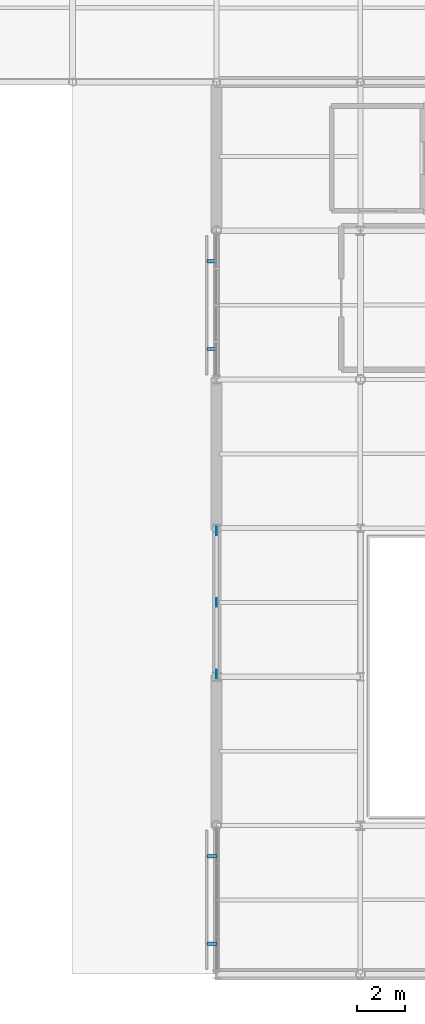
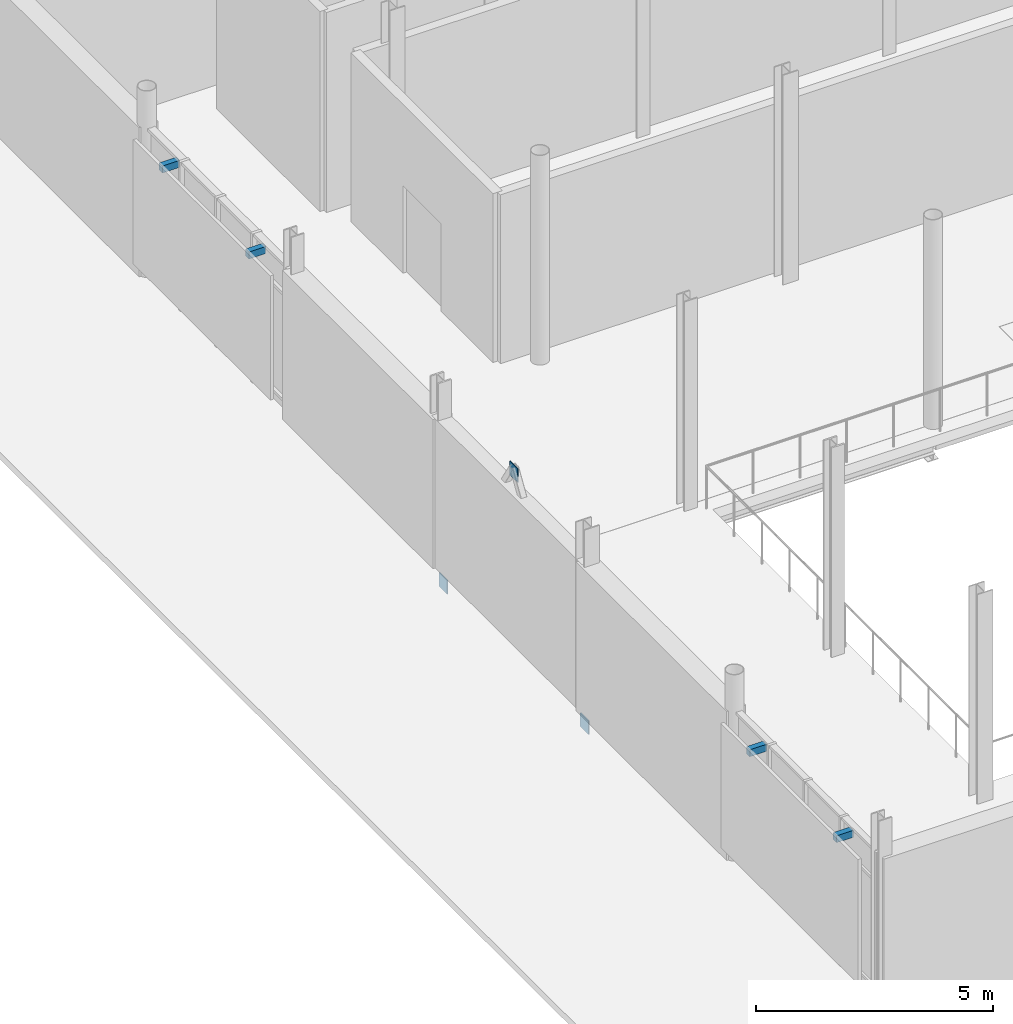
# One storey, part 84 of 105: 7 discrete accessories.
"""IFC4 building model written with IfcOpenShell, lengths in metres."""

from ifc_helpers import new_model, si_unit, direction, frame, origin, origin_2d, place, context, subcontext, project, spatial, rectangle, extrude, material, type_object, element, save


model = new_model("IFC4")

# Units and contexts
model_context = context("Model", 3, precision=1e-05, world=origin(), true_north=direction((0.0, 1.0)))
body_context = subcontext(model_context, "Body", "Model", "MODEL_VIEW")
ifc_project = project(units=[si_unit("LENGTHUNIT", "METRE"), si_unit("AREAUNIT", "SQUARE_METRE"), si_unit("VOLUMEUNIT", "CUBIC_METRE"), si_unit("PLANEANGLEUNIT", "RADIAN"), si_unit("MASSUNIT", "GRAM", prefix="KILO")], contexts=[model_context])

# Site, building, storey
site_placement = place(None, origin())
site = spatial("IfcSite", under=ifc_project, at=site_placement, CompositionType="ELEMENT")
building_placement = place(site_placement, origin())
building = spatial("IfcBuilding", under=site, at=building_placement, Name="Mirzam Square Science Centre", CompositionType="ELEMENT")
storey_placement = place(building_placement, frame((0.0, 0.0, 5.39990234375)))
storey = spatial("IfcBuildingStorey", under=building, at=storey_placement, Name="L01", CompositionType="ELEMENT", Elevation=5.39990234375)

# Discrete accessories
ifc_material = material(Name="Steel S355", Category="steel")
discrete_accessory_type_1 = type_object("IfcDiscreteAccessoryType", Name="BK-BRACE-GUSSET", PredefinedType="BRACKET", material=ifc_material)
for number, where, z_axis, x_axis, name in (
    (1, (132.0, 12.52001953125, -0.0048828125), (0.0, 0.0, 1.0), (0.0, 1.0, 0.0), "L01 brace gusset plate 6A"),
    (2, (132.0, 18.47998046875, -0.0048828125), (0.0, 0.0, 1.0), (0.0, 1.0, 0.0), "L01 brace gusset plate 6B"),
    (3, (132.0, 15.5, 4.679931640625), (0.0, 0.0, 1.0), (0.0, 1.0, 0.0), "L01 brace apex gusset plate 6"),
):
    element("IfcDiscreteAccessory", number, at=place(storey_placement, frame(where, z_axis=z_axis, x_axis=x_axis)), inside=storey, type_object=discrete_accessory_type_1, Name=name, PredefinedType="BRACKET", context=body_context, shape_type="SweptSolid", body=[
        extrude(rectangle(XDim=0.35009765625, YDim=0.02490234375, at=origin_2d()), origin(), (0.0, 0.0, 1.0), 0.35009765625),
    ])
discrete_accessory_type_2 = type_object("IfcDiscreteAccessoryType", Name="BRK-BRISE-STEEL", PredefinedType="BRACKET", material=ifc_material)
for number, where, z_axis, x_axis, name in (
    (4, (131.81005859375, 4.927001953125, 4.10009765625), (0.0, 0.0, 1.0), (0.0, -1.0, 0.0), "L01 brise-soleil support bracket 50"),
    (5, (131.81005859375, 1.27294921875, 4.10009765625), (0.0, 0.0, 1.0), (0.0, -1.0, 0.0), "L01 brise-soleil support bracket 50"),
    (6, (131.81005859375, 29.72705078125, 4.10009765625), (0.0, 0.0, 1.0), (0.0, -1.0, 0.0), "L01 brise-soleil support bracket 51"),
    (7, (131.81005859375, 26.072998046875, 4.10009765625), (0.0, 0.0, 1.0), (0.0, -1.0, 0.0), "L01 brise-soleil support bracket 51"),
):
    element("IfcDiscreteAccessory", number, at=place(storey_placement, frame(where, z_axis=z_axis, x_axis=x_axis)), inside=storey, type_object=discrete_accessory_type_2, Name=name, PredefinedType="BRACKET", context=body_context, shape_type="SweptSolid", body=[
        extrude(rectangle(XDim=0.139892578125, YDim=0.419921875, at=origin_2d()), origin(), (0.0, 0.0, 1.0), 0.179931640625),
    ])

save(model, "model.ifc")
